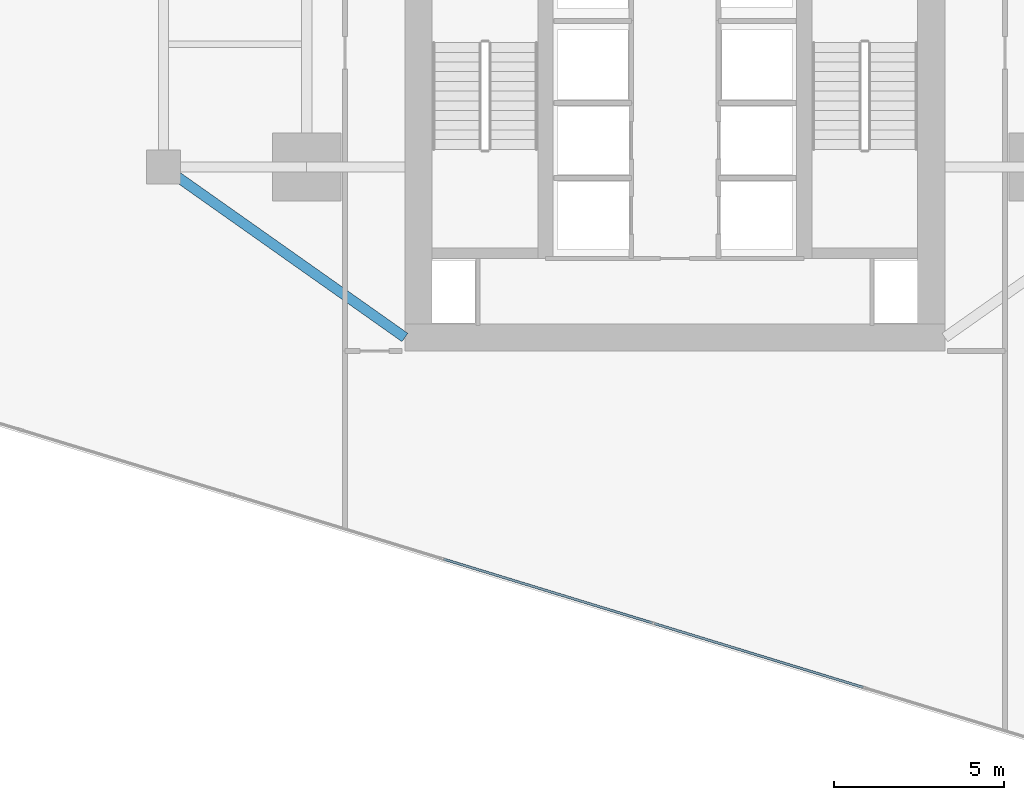
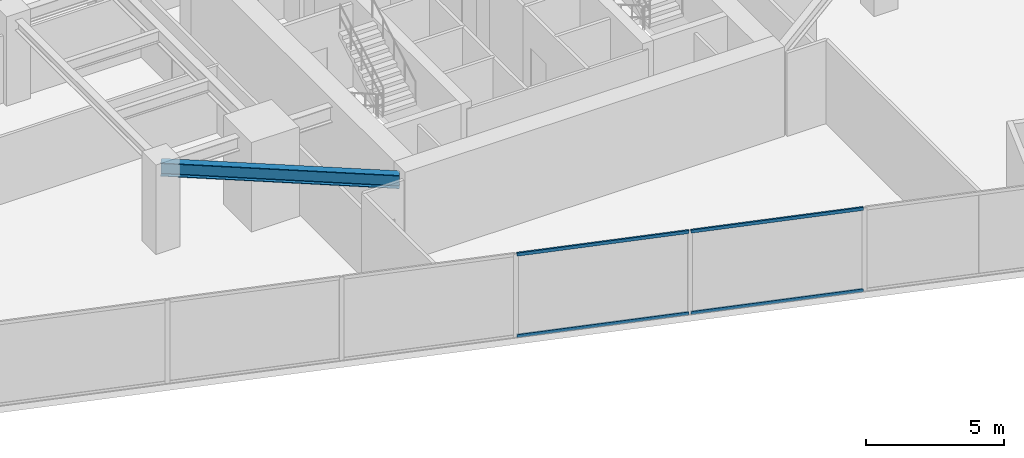
# One storey, part 4 of 26: 4 members, 1 beam, 1 element without a shape of its own.
"""IFC4 building model written with IfcOpenShell, lengths in metres."""

from ifc_helpers import new_model, si_unit, direction, frame, origin, origin_2d, place, context, subcontext, project, spatial, hollow_rectangle, i_section, extrude, source, transform, mapped, material, material_profile, profile_set, type_object, type_shapes, element, aggregate, save


model = new_model("IFC4")

# Units and contexts
model_context = context("Model", 3, precision=1e-05, world=origin(), true_north=direction((0.0, 1.0)))
body_context = subcontext(model_context, "Body", "Model", "MODEL_VIEW")
ifc_project = project(units=[si_unit("LENGTHUNIT", "METRE"), si_unit("AREAUNIT", "SQUARE_METRE"), si_unit("VOLUMEUNIT", "CUBIC_METRE"), si_unit("PLANEANGLEUNIT", "RADIAN"), si_unit("MASSUNIT", "GRAM", prefix="KILO")], contexts=[model_context])

# Site, building, storey
site_placement = place(None, origin())
site = spatial("IfcSite", under=ifc_project, at=site_placement, CompositionType="ELEMENT")
building_placement = place(site_placement, origin())
building = spatial("IfcBuilding", under=site, at=building_placement, Name="Krantzveldt Concourse Tower", CompositionType="ELEMENT")
storey_placement = place(building_placement, frame((0.0, 0.0, 113.75)))
storey = spatial("IfcBuildingStorey", under=building, at=storey_placement, Name="L27", CompositionType="ELEMENT", Elevation=113.75)

# Beam
ifc_material_1 = material(Name="Steel S355JR", Category="steel")
ifc_material_profile_1 = material_profile(ifc_material_1, i_section(OverallWidth=0.300048828125, OverallDepth=0.590087890625, WebThickness=0.012939453125, FlangeThickness=0.02490234375, FilletRadius=0.027099609375, at=origin_2d()), Name="Steel S355JR", Category="steel")
ifc_profile_set_1 = profile_set([ifc_material_profile_1], Name="Steel S355JR - HEA 600")
beam_type = type_object("IfcBeamType", Name="BM-B-HEA600", PredefinedType="BEAM", material=ifc_profile_set_1)
shared_shape_1 = source(origin(), body_context, "Body", "SweptSolid", [
    extrude(i_section(OverallWidth=0.300048828125, OverallDepth=0.590087890625, WebThickness=0.012939453125, FlangeThickness=0.02490234375, FilletRadius=0.027099609375, at=origin_2d()), origin(), (0.0, 0.0, 1.0), 8.667724609375),
])
type_shapes(beam_type, [shared_shape_1])
beam_placement = place(storey_placement, frame((21.0, 15.89990234375, 3.375), z_axis=(0.81684294656, -0.576860122261, 0.0), x_axis=(0.576860122261, 0.81684294656, 0.0)))
element("IfcBeam", 1, at=beam_placement, inside=storey, type_object=beam_type, Name="L27 Tower Girder BR-CSW", PredefinedType="BEAM", context=body_context, shape_type="MappedRepresentation", body=[
    mapped(shared_shape_1, transform((0.0, 0.0, 0.0), x_axis=(1.0, 0.0, 0.0), y_axis=(0.0, 1.0, 0.0), z_axis=(0.0, 0.0, 1.0), scale=1.0)),
])

# Curtain wall, members
ifc_material_2 = material(Name="Anodised aluminium 6063-T6", Category="aluminium")
curtain_wall_type = type_object("IfcCurtainWallType", Name="CW2", PredefinedType="USERDEFINED", material=ifc_material_2)
curtain_wall_placement = place(storey_placement, origin())
curtain_wall = element("IfcCurtainWall", 2, at=curtain_wall_placement, inside=storey, type_object=curtain_wall_type, Name="CW-L27-F04", ObjectType="UNITISED CURTAIN WALL", PredefinedType="USERDEFINED")
ifc_material_profile_2 = material_profile(ifc_material_2, hollow_rectangle(XDim=0.070068359375, YDim=0.139892578125, WallThickness=0.0048828125, at=origin_2d()), Name="Anodised aluminium 6063-T6", Category="aluminium")
ifc_profile_set_2 = profile_set([ifc_material_profile_2], Name="Anodised aluminium 6063-T6 - ALU-TRAN 140x70x5")
member_type = type_object("IfcMemberType", Name="CW-TRN-150", PredefinedType="USERDEFINED", material=ifc_profile_set_2)
shared_shape_2 = source(origin(), body_context, "Body", "SweptSolid", [
    extrude(hollow_rectangle(XDim=0.070068359375, YDim=0.139892578125, WallThickness=0.0048828125, at=origin_2d()), origin(), (0.0, 0.0, 1.0), 6.396728515625),
])
type_shapes(member_type, [shared_shape_2])
member_1_placement = place(storey_placement, frame((29.21826171875, 4.398193359375, 0.034912109375), z_axis=(0.956308895855, -0.292358163404, 0.0), x_axis=(0.292358163404, 0.956308895855, 0.0)))
member_1 = element("IfcMember", 3, at=member_1_placement, type_object=member_type, Name="CW-Z12 transom 4.1", ObjectType="TRANSOM", PredefinedType="USERDEFINED", context=body_context, shape_type="MappedRepresentation", body=[
    mapped(shared_shape_2, transform((0.0, 0.0, 0.0), x_axis=(1.0, 0.0, 0.0), y_axis=(0.0, 1.0, 0.0), z_axis=(0.0, 0.0, 1.0), scale=1.0)),
])
member_2_placement = place(storey_placement, frame((29.21826171875, 4.398193359375, 3.635009765625), z_axis=(0.956308895855, -0.292358163404, 0.0), x_axis=(0.292358163404, 0.956308895855, 0.0)))
member_2 = element("IfcMember", 4, at=member_2_placement, type_object=member_type, Name="CW-Z12 transom 4.2", ObjectType="TRANSOM", PredefinedType="USERDEFINED", context=body_context, shape_type="MappedRepresentation", body=[
    mapped(shared_shape_2, transform((0.0, 0.0, 0.0), x_axis=(1.0, 0.0, 0.0), y_axis=(0.0, 1.0, 0.0), z_axis=(0.0, 0.0, 1.0), scale=1.0)),
])
member_3_placement = place(storey_placement, frame((35.40234375, 2.507568359375, 0.034912109375), z_axis=(0.956308895855, -0.292358163404, 0.0), x_axis=(0.292358163404, 0.956308895855, 0.0)))
member_3 = element("IfcMember", 5, at=member_3_placement, type_object=member_type, Name="CW-Z12 transom 5.1", ObjectType="TRANSOM", PredefinedType="USERDEFINED", context=body_context, shape_type="MappedRepresentation", body=[
    mapped(shared_shape_2, transform((0.0, 0.0, 0.0), x_axis=(1.0, 0.0, 0.0), y_axis=(0.0, 1.0, 0.0), z_axis=(0.0, 0.0, 1.0), scale=1.0)),
])
member_4_placement = place(storey_placement, frame((35.40234375, 2.507568359375, 3.635009765625), z_axis=(0.956308895855, -0.292358163404, 0.0), x_axis=(0.292358163404, 0.956308895855, 0.0)))
member_4 = element("IfcMember", 6, at=member_4_placement, type_object=member_type, Name="CW-Z12 transom 5.2", ObjectType="TRANSOM", PredefinedType="USERDEFINED", context=body_context, shape_type="MappedRepresentation", body=[
    mapped(shared_shape_2, transform((0.0, 0.0, 0.0), x_axis=(1.0, 0.0, 0.0), y_axis=(0.0, 1.0, 0.0), z_axis=(0.0, 0.0, 1.0), scale=1.0)),
])
aggregate(curtain_wall, [member_1, member_2, member_3, member_4])

save(model, "model.ifc")
